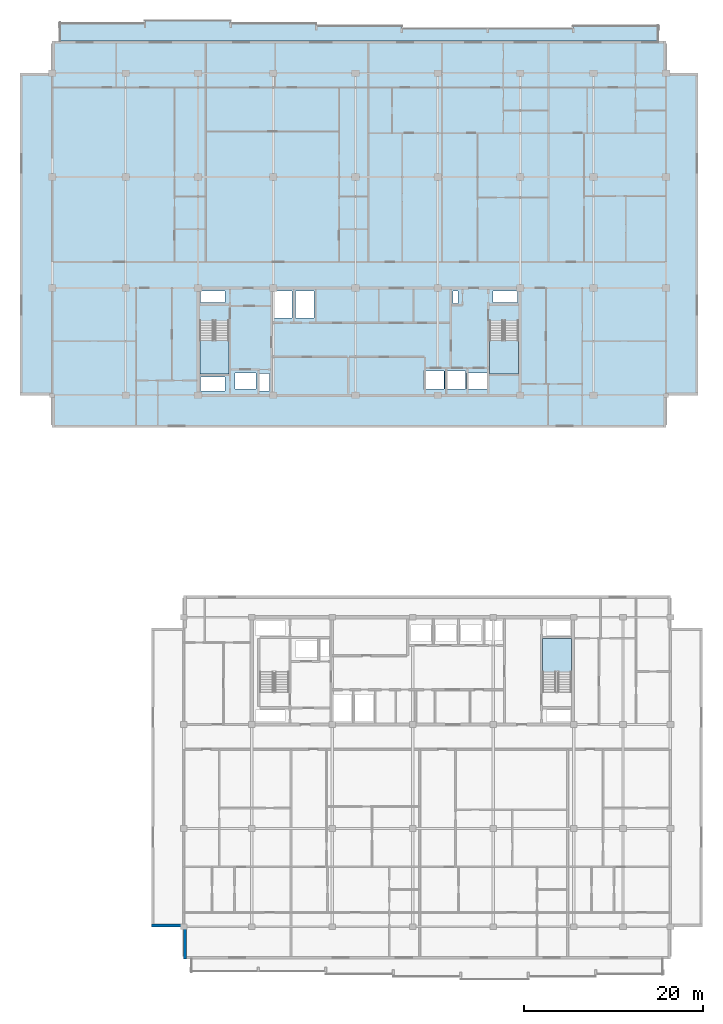
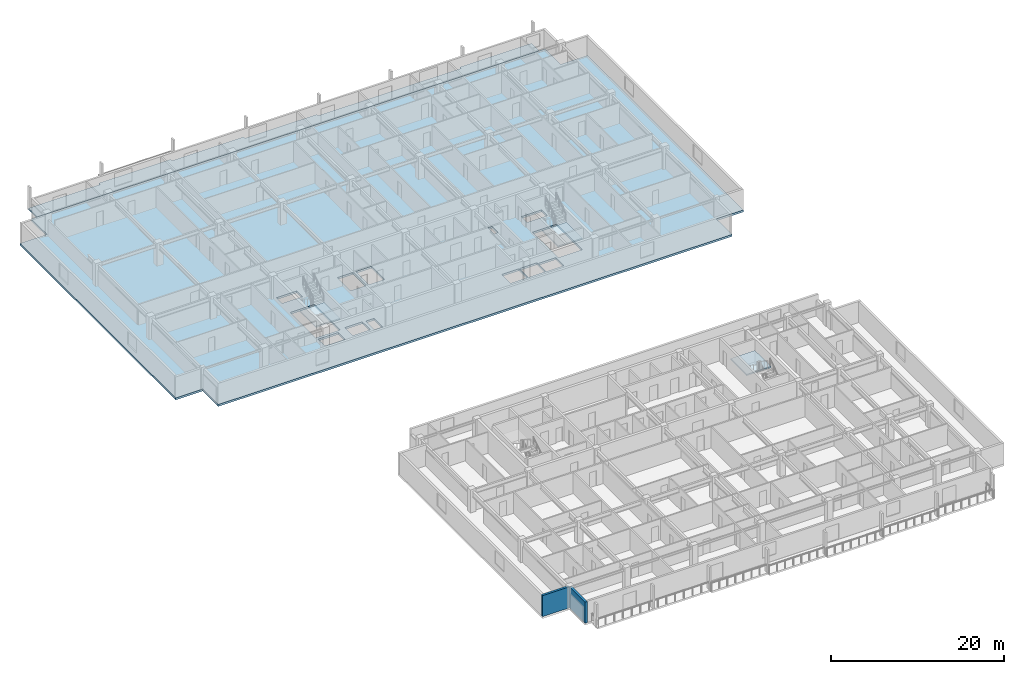
# One storey, part 3 of 21: 5 slabs, 2 walls, 3 elements without a shape of their own.
"""IFC4 building model written with IfcOpenShell, lengths in metres."""

from ifc_helpers import new_model, si_unit, direction, frame, frame_2d, origin, place, context, subcontext, project, spatial, polyline, rectangle, outline, extrude, material, layer, layer_set, type_object, element, aggregate, save


model = new_model("IFC4")

# Units and contexts
model_context = context("Model", 3, precision=1e-05, world=origin(), true_north=direction((0.0, 1.0)))
body_context = subcontext(model_context, "Body", "Model", "MODEL_VIEW")
ifc_project = project(units=[si_unit("LENGTHUNIT", "METRE"), si_unit("AREAUNIT", "SQUARE_METRE"), si_unit("VOLUMEUNIT", "CUBIC_METRE"), si_unit("PLANEANGLEUNIT", "RADIAN"), si_unit("MASSUNIT", "GRAM", prefix="KILO")], contexts=[model_context])

# Site, building, storey
site_placement = place(None, origin())
site = spatial("IfcSite", under=ifc_project, at=site_placement, CompositionType="ELEMENT")
building_placement = place(site_placement, origin())
building = spatial("IfcBuilding", under=site, at=building_placement, Name="Korimba Cascade Residences", CompositionType="ELEMENT")
storey_placement = place(building_placement, frame((0.0, 0.0, 188.10009765625)))
storey = spatial("IfcBuildingStorey", under=building, at=storey_placement, Name="L54", CompositionType="ELEMENT", Elevation=188.10009765625)

# Stair, slab
ifc_material_1 = material(Name="Concrete C50/60", Category="concrete")
stair_type_1 = type_object("IfcStairType", Name="STR-W1-18R-1806", PredefinedType="HALF_TURN_STAIR", material=ifc_material_1)
stair_1_placement = place(storey_placement, origin())
stair_1 = element("IfcStair", 1, at=stair_1_placement, inside=storey, type_object=stair_type_1, Name="L54 Tower 1 West Fire Stair ST-W1", PredefinedType="HALF_TURN_STAIR")
ifc_layer_1 = layer(ifc_material_1, 0.199951171875)
ifc_layer_set_1 = layer_set([ifc_layer_1], Name="Concrete C50/60")
slab_type_1 = type_object("IfcSlabType", Name="SLB-LND-220", PredefinedType="LANDING", material=ifc_layer_set_1)
slab_1_placement = place(storey_placement, frame((0.0, 0.0, 1.4248046875)))
slab_1 = element("IfcSlab", 2, at=slab_1_placement, type_object=slab_type_1, Name="ST-W1 landing 1", PredefinedType="LANDING", context=body_context, shape_type="SweptSolid", body=[
    extrude(outline(polyline([(76.300048828125, 61.31005859375), (76.300048828125, 57.60009765625), (79.5400390625, 57.60009765625), (79.5400390625, 61.31005859375), (76.300048828125, 61.31005859375)])), origin(), (0.0, 0.0, 1.0), 0.2001953125),
])
aggregate(stair_1, [slab_1])

stair_type_2 = type_object("IfcStairType", Name="STR-W2-18R-1806", PredefinedType="HALF_TURN_STAIR", material=ifc_material_1)
stair_2_placement = place(storey_placement, origin())
stair_2 = element("IfcStair", 3, at=stair_2_placement, inside=storey, type_object=stair_type_2, Name="L54 Tower 1 East Fire Stair ST-W2", PredefinedType="HALF_TURN_STAIR")
slab_2_placement = place(storey_placement, frame((0.0, 0.0, 1.4248046875)))
slab_2 = element("IfcSlab", 4, at=slab_2_placement, type_object=slab_type_1, Name="ST-W2 landing 1", PredefinedType="LANDING", context=body_context, shape_type="SweptSolid", body=[
    extrude(outline(polyline([(108.659912109375, 61.31005859375), (108.659912109375, 57.60009765625), (111.89990234375, 57.60009765625), (111.89990234375, 61.31005859375), (108.659912109375, 61.31005859375)])), origin(), (0.0, 0.0, 1.0), 0.2001953125),
])
aggregate(stair_2, [slab_2])

stair_type_3 = type_object("IfcStairType", Name="STR-E2-18R-1806", PredefinedType="HALF_TURN_STAIR", material=ifc_material_1)
stair_3_placement = place(storey_placement, origin())
stair_3 = element("IfcStair", 5, at=stair_3_placement, inside=storey, type_object=stair_type_3, Name="L54 Tower 2 East Fire Stair ST-E2", PredefinedType="HALF_TURN_STAIR")
slab_3_placement = place(storey_placement, frame((0.0, 0.0, 1.4248046875)))
slab_3 = element("IfcSlab", 6, at=slab_3_placement, type_object=slab_type_1, Name="ST-E2 landing 1", PredefinedType="LANDING", context=body_context, shape_type="SweptSolid", body=[
    extrude(outline(polyline([(117.840087890625, 24.2900390625), (117.840087890625, 28.0), (114.60009765625, 28.0), (114.60009765625, 24.2900390625), (117.840087890625, 24.2900390625)])), origin(), (0.0, 0.0, 1.0), 0.2001953125),
])
aggregate(stair_3, [slab_3])

# Slabs
ifc_material_2 = material(Name="Precast concrete C40/50", Category="concrete")
ifc_layer_2 = layer(ifc_material_2, 0.239990234375)
ifc_layer_set_2 = layer_set([ifc_layer_2], Name="Precast concrete C40/50")
slab_type_2 = type_object("IfcSlabType", Name="SLB-LOG-240", PredefinedType="FLOOR", material=ifc_layer_set_2)
slab_4_placement = place(storey_placement, frame((0.0, 0.0, -0.239990234375)))
element("IfcSlab", 7, at=slab_4_placement, inside=storey, type_object=slab_type_2, Name="L54 Tower 1 North Loggia Slab", PredefinedType="FLOOR", context=body_context, shape_type="SweptSolid", body=[
    extrude(outline(polyline([(60.60009765625, 94.800048828125), (127.60009765625, 94.800048828125), (127.60009765625, 96.550048828125), (118.028564453125, 96.550048828125), (118.028564453125, 96.25), (98.8857421875, 96.25), (98.8857421875, 96.550048828125), (89.314208984375, 96.550048828125), (89.314208984375, 96.85009765625), (79.742919921875, 96.85009765625), (79.742919921875, 97.14990234375), (70.17138671875, 97.14990234375), (70.17138671875, 96.85009765625), (60.60009765625, 96.85009765625), (60.60009765625, 94.800048828125)])), origin(), (0.0, 0.0, 1.0), 0.239990234375),
])
ifc_layer_3 = layer(ifc_material_1, 0.280029296875)
ifc_layer_set_3 = layer_set([ifc_layer_3], Name="Concrete C50/60")
slab_type_3 = type_object("IfcSlabType", Name="SLB-TYP-280", PredefinedType="FLOOR", material=ifc_layer_set_3)
slab_5_placement = place(storey_placement, frame((0.0, 0.0, -0.280029296875)))
element("IfcSlab", 8, at=slab_5_placement, inside=storey, type_object=slab_type_3, Name="L54 Tower 1 Floor Slab", PredefinedType="FLOOR", context=body_context, shape_type="SweptSolid", body=[
    extrude(outline(polyline([(59.800048828125, 51.60009765625), (128.39990234375, 51.60009765625), (128.39990234375, 55.199951171875), (132.0, 55.199951171875), (132.0, 91.199951171875), (128.39990234375, 91.199951171875), (128.39990234375, 94.800048828125), (59.800048828125, 94.800048828125), (59.800048828125, 91.199951171875), (56.199951171875, 91.199951171875), (56.199951171875, 55.199951171875), (59.800048828125, 55.199951171875), (59.800048828125, 51.60009765625)]), holes=[polyline([(76.300048828125, 63.514892578125), (76.300048828125, 57.60009765625), (79.5400390625, 57.60009765625), (79.5400390625, 63.514892578125), (76.300048828125, 63.514892578125)]), polyline([(108.659912109375, 63.514892578125), (108.659912109375, 57.60009765625), (111.89990234375, 57.60009765625), (111.89990234375, 63.514892578125), (108.659912109375, 63.514892578125)]), polyline([(80.22998046875, 55.8798828125), (82.570068359375, 55.8798828125), (82.570068359375, 57.719970703125), (80.22998046875, 57.719970703125), (80.22998046875, 55.8798828125)]), polyline([(106.080078125, 55.8798828125), (108.419921875, 55.8798828125), (108.419921875, 57.719970703125), (106.080078125, 57.719970703125), (106.080078125, 55.8798828125)]), polyline([(101.304931640625, 55.8798828125), (103.594970703125, 55.8798828125), (103.594970703125, 57.919921875), (101.304931640625, 57.919921875), (101.304931640625, 55.8798828125)]), polyline([(103.705078125, 55.8798828125), (105.9951171875, 55.8798828125), (105.9951171875, 57.919921875), (103.705078125, 57.919921875), (103.705078125, 55.8798828125)]), polyline([(82.97998046875, 55.679931640625), (84.080078125, 55.679931640625), (84.080078125, 57.6201171875), (82.97998046875, 57.6201171875), (82.97998046875, 55.679931640625)]), polyline([(76.39990234375, 65.56005859375), (79.10009765625, 65.56005859375), (79.10009765625, 66.8798828125), (76.39990234375, 66.8798828125), (76.39990234375, 65.56005859375)]), polyline([(76.39990234375, 55.679931640625), (79.10009765625, 55.679931640625), (79.10009765625, 57.239990234375), (76.39990234375, 57.239990234375), (76.39990234375, 55.679931640625)]), polyline([(84.530029296875, 63.820068359375), (86.6201171875, 63.820068359375), (86.6201171875, 66.8798828125), (84.530029296875, 66.8798828125), (84.530029296875, 63.820068359375)]), polyline([(86.97998046875, 63.820068359375), (89.070068359375, 63.820068359375), (89.070068359375, 66.8798828125), (86.97998046875, 66.8798828125), (86.97998046875, 63.820068359375)]), polyline([(104.6201171875, 65.4599609375), (105.179931640625, 65.4599609375), (105.179931640625, 66.8798828125), (104.6201171875, 66.8798828125), (104.6201171875, 65.4599609375)]), polyline([(109.080078125, 65.56005859375), (111.800048828125, 65.56005859375), (111.800048828125, 66.8798828125), (109.080078125, 66.8798828125), (109.080078125, 65.56005859375)])]), origin(), (0.0, 0.0, 1.0), 0.280029296875),
])

# Walls
ifc_layer_4 = layer(ifc_material_2, 0.300048828125)
ifc_layer_set_4 = layer_set([ifc_layer_4], Name="Precast concrete C40/50")
wall_type = type_object("IfcWallType", Name="EW-STONE-300", PredefinedType="STANDARD", material=ifc_layer_set_4)
for number, where, z_axis, x_axis, name in (
    (9, (70.89990234375, -4.050048828125, 0.0), (0.0, 0.0, 1.0), (1.0, 0.0, 0.0), "L54 T2 Perimeter Stone Wall E10"),
    (10, (74.64990234375, -4.199951171875, 0.0), (0.0, 0.0, 1.0), (0.0, -1.0, 0.0), "L54 T2 Perimeter Stone Wall E11"),
):
    element("IfcWall", number, at=place(storey_placement, frame(where, z_axis=z_axis, x_axis=x_axis)), inside=storey, type_object=wall_type, Name=name, PredefinedType="STANDARD", context=body_context, shape_type="SweptSolid", body=[
        extrude(rectangle(XDim=3.60009765625, YDim=0.300048828125, at=frame_2d((1.800048828125, 0.0))), origin(), (0.0, 0.0, 1.0), 2.969970703125),
    ])

save(model, "model.ifc")
